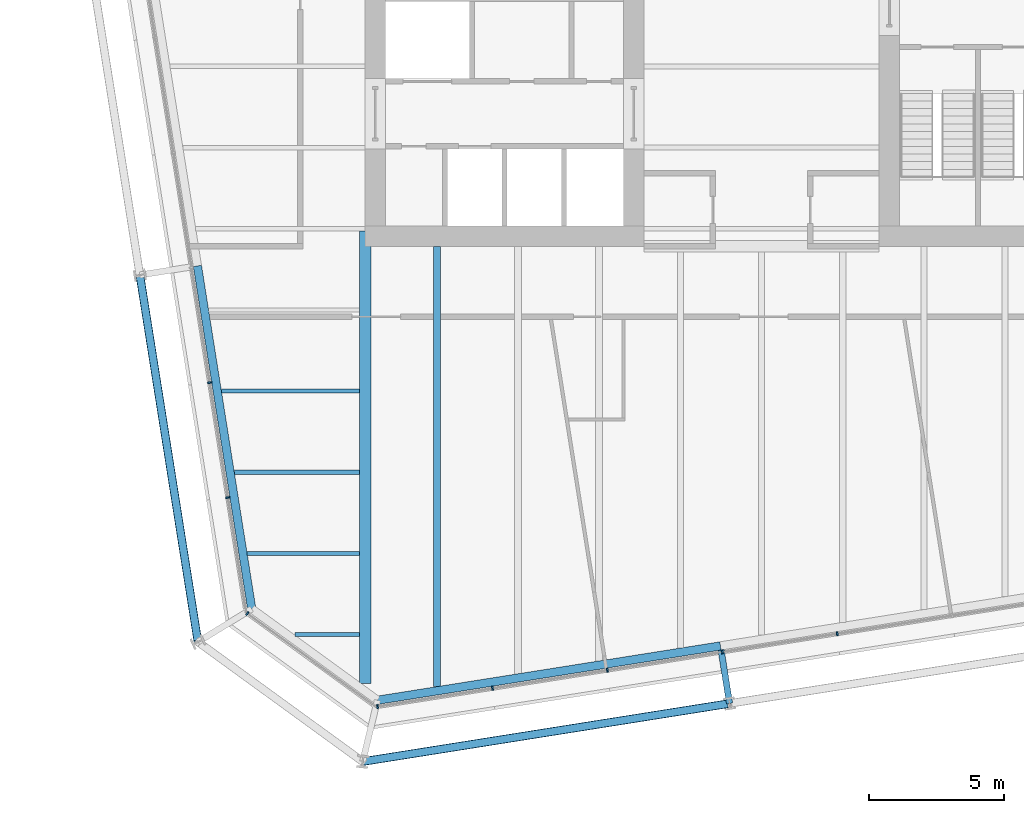
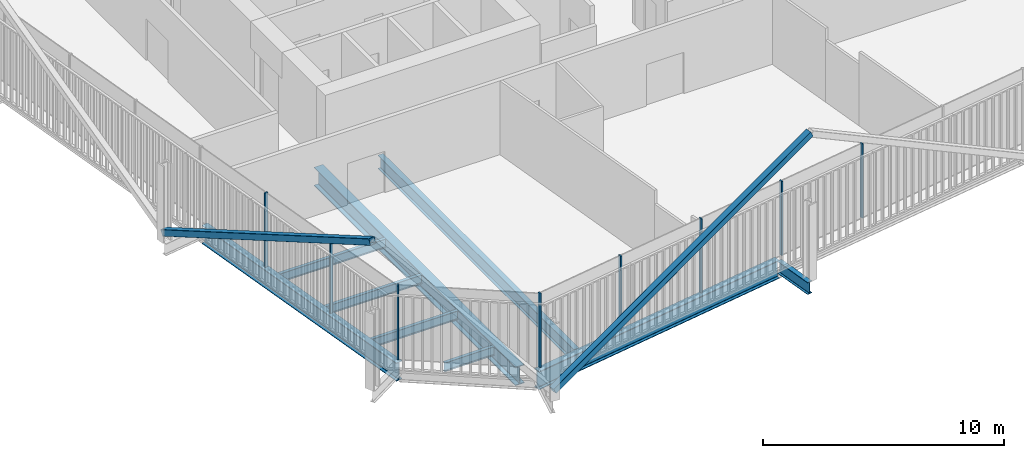
# One storey, part 2 of 22: 10 members, 9 beams, 3 elements without a shape of their own.
"""IFC4 building model written with IfcOpenShell, lengths in metres."""

from ifc_helpers import new_model, si_unit, direction, frame, origin, origin_2d, place, context, subcontext, project, spatial, rectangle, hollow_rectangle, i_section, extrude, material, layer, layer_set, material_profile, profile_set, type_object, element, aggregate, save


model = new_model("IFC4")

# Units and contexts
model_context = context("Model", 3, precision=1e-05, world=origin(), true_north=direction((0.0, 1.0)))
body_context = subcontext(model_context, "Body", "Model", "MODEL_VIEW")
ifc_project = project(units=[si_unit("LENGTHUNIT", "METRE"), si_unit("AREAUNIT", "SQUARE_METRE"), si_unit("VOLUMEUNIT", "CUBIC_METRE"), si_unit("PLANEANGLEUNIT", "RADIAN"), si_unit("MASSUNIT", "GRAM", prefix="KILO")], contexts=[model_context])

# Site, building, storey
site_placement = place(None, origin())
site = spatial("IfcSite", under=ifc_project, at=site_placement, CompositionType="ELEMENT")
building_placement = place(site_placement, origin())
building = spatial("IfcBuilding", under=site, at=building_placement, Name="Millrace Tower", CompositionType="ELEMENT")
storey_placement = place(building_placement, frame((0.0, 0.0, 187.800048828125)))
storey = spatial("IfcBuildingStorey", under=building, at=storey_placement, Name="L42", CompositionType="ELEMENT", Elevation=187.800048828125)

# Curtain wall, member
ifc_material_1 = material(Name="Aluminium and glass", Category="aluminium")
ifc_layer = layer(ifc_material_1, 0.14990234375)
ifc_layer_set = layer_set([ifc_layer], Name="Aluminium and glass")
curtain_wall_type = type_object("IfcCurtainWallType", Name="CW-1 office vision curtain wall", PredefinedType="NOTDEFINED", material=ifc_layer_set)
placement = place(storey_placement, origin())
curtain_wall_1 = element("IfcCurtainWall", 1, at=placement, inside=storey, type_object=curtain_wall_type, Name="Curtain wall C-F01 L42", PredefinedType="NOTDEFINED")
ifc_material_2 = material(Name="Aluminium", Category="aluminium")
ifc_material_profile_1 = material_profile(ifc_material_2, rectangle(XDim=0.06494140625, YDim=0.14990234375, at=origin_2d()))
ifc_profile_set_1 = profile_set([ifc_material_profile_1], Name="Aluminium")
member_type_1 = type_object("IfcMemberType", Name="CW-1 office vision curtain wall mullion", PredefinedType="MULLION", material=ifc_profile_set_1)
member_1_placement = place(storey_placement, frame((-19.00146484375, -23.2177734375, 0.139892578125), z_axis=(0.0, 0.0, 1.0), x_axis=(0.809016981623, -0.587785269844, 0.0)))
member_1 = element("IfcMember", 2, at=member_1_placement, type_object=member_type_1, Name="CW1 mullion C-F01.1", PredefinedType="MULLION", context=body_context, shape_type="SweptSolid", body=[
    extrude(rectangle(XDim=0.06494140625, YDim=0.14990234375, at=origin_2d()), origin(), (0.0, 0.0, 1.0), 3.760009765625),
])
aggregate(curtain_wall_1, [member_1])

# Curtain wall, members
curtain_wall_2 = element("IfcCurtainWall", 3, at=placement, inside=storey, type_object=curtain_wall_type, Name="Curtain wall C-F02 L42", PredefinedType="NOTDEFINED")
member_2_placement = place(storey_placement, frame((-14.191650390625, -26.65673828125, 0.139892578125), z_axis=(0.0, 0.0, 1.0), x_axis=(0.98768833929, 0.15643447328, 0.0)))
member_2 = element("IfcMember", 4, at=member_2_placement, type_object=member_type_1, Name="CW1 mullion C-F02.1", PredefinedType="MULLION", context=body_context, shape_type="SweptSolid", body=[
    extrude(rectangle(XDim=0.06494140625, YDim=0.14990234375, at=origin_2d()), origin(), (0.0, 0.0, 1.0), 3.760009765625),
])
member_3_placement = place(storey_placement, frame((-9.944580078125, -25.98388671875, 0.139892578125), z_axis=(0.0, 0.0, 1.0), x_axis=(0.98768833929, 0.15643447328, 0.0)))
member_3 = element("IfcMember", 5, at=member_3_placement, type_object=member_type_1, Name="CW1 mullion C-F02.2", PredefinedType="MULLION", context=body_context, shape_type="SweptSolid", body=[
    extrude(rectangle(XDim=0.06494140625, YDim=0.14990234375, at=origin_2d()), origin(), (0.0, 0.0, 1.0), 3.760009765625),
])
member_4_placement = place(storey_placement, frame((-5.697509765625, -25.311279296875, 0.139892578125), z_axis=(0.0, 0.0, 1.0), x_axis=(0.98768833929, 0.15643447328, 0.0)))
member_4 = element("IfcMember", 6, at=member_4_placement, type_object=member_type_1, Name="CW1 mullion C-F02.3", PredefinedType="MULLION", context=body_context, shape_type="SweptSolid", body=[
    extrude(rectangle(XDim=0.06494140625, YDim=0.14990234375, at=origin_2d()), origin(), (0.0, 0.0, 1.0), 3.760009765625),
])
member_5_placement = place(storey_placement, frame((-1.450439453125, -24.638671875, 0.139892578125), z_axis=(0.0, 0.0, 1.0), x_axis=(0.98768833929, 0.15643447328, 0.0)))
member_5 = element("IfcMember", 7, at=member_5_placement, type_object=member_type_1, Name="CW1 mullion C-F02.4", PredefinedType="MULLION", context=body_context, shape_type="SweptSolid", body=[
    extrude(rectangle(XDim=0.06494140625, YDim=0.14990234375, at=origin_2d()), origin(), (0.0, 0.0, 1.0), 3.760009765625),
])
member_6_placement = place(storey_placement, frame((2.796630859375, -23.966064453125, 0.139892578125), z_axis=(0.0, 0.0, 1.0), x_axis=(0.98768833929, 0.15643447328, 0.0)))
member_6 = element("IfcMember", 8, at=member_6_placement, type_object=member_type_1, Name="CW1 mullion C-F02.5", PredefinedType="MULLION", context=body_context, shape_type="SweptSolid", body=[
    extrude(rectangle(XDim=0.06494140625, YDim=0.14990234375, at=origin_2d()), origin(), (0.0, 0.0, 1.0), 3.760009765625),
])
aggregate(curtain_wall_2, [member_2, member_3, member_4, member_5, member_6])

curtain_wall_3 = element("IfcCurtainWall", 9, at=placement, inside=storey, type_object=curtain_wall_type, Name="Curtain wall C-F08 L42", PredefinedType="NOTDEFINED")
member_7_placement = place(storey_placement, frame((-20.39794921875, -14.687744140625, 0.139892578125), z_axis=(0.0, 0.0, 1.0), x_axis=(0.15643447328, -0.98768833929, 0.0)))
member_7 = element("IfcMember", 10, at=member_7_placement, type_object=member_type_1, Name="CW1 mullion C-F08.8", PredefinedType="MULLION", context=body_context, shape_type="SweptSolid", body=[
    extrude(rectangle(XDim=0.06494140625, YDim=0.14990234375, at=origin_2d()), origin(), (0.0, 0.0, 1.0), 3.760009765625),
])
member_8_placement = place(storey_placement, frame((-19.725341796875, -18.934814453125, 0.139892578125), z_axis=(0.0, 0.0, 1.0), x_axis=(0.15643447328, -0.98768833929, 0.0)))
member_8 = element("IfcMember", 11, at=member_8_placement, type_object=member_type_1, Name="CW1 mullion C-F08.9", PredefinedType="MULLION", context=body_context, shape_type="SweptSolid", body=[
    extrude(rectangle(XDim=0.06494140625, YDim=0.14990234375, at=origin_2d()), origin(), (0.0, 0.0, 1.0), 3.760009765625),
])
aggregate(curtain_wall_3, [member_7, member_8])

# Members
ifc_material_3 = material(Name="Steel ASTM A500 Grade C", Category="steel")
ifc_material_profile_2 = material_profile(ifc_material_3, hollow_rectangle(XDim=0.3046875, YDim=0.3046875, WallThickness=0.0126953125, InnerFilletRadius=0.00634765625, OuterFilletRadius=0.01904296875, at=origin_2d()))
ifc_profile_set_2 = profile_set([ifc_material_profile_2], Name="Steel ASTM A500 Grade C")
member_type_2 = type_object("IfcMemberType", Name="Exoskeleton brace HSS12x12x1/2", PredefinedType="BRACE", material=ifc_profile_set_2)
member_9_placement = place(storey_placement, frame((-14.740966796875, -28.692626953125, 0.39990234375), z_axis=(0.879910131664, 0.139353430287, 0.454245287992), x_axis=(-0.15642281023, 0.987690186465, 0.0)))
element("IfcMember", 12, at=member_9_placement, inside=storey, type_object=member_type_2, Name="BRC-C-L42-02", PredefinedType="BRACE", context=body_context, shape_type="SweptSolid", body=[
    extrude(hollow_rectangle(XDim=0.3046875, YDim=0.3046875, WallThickness=0.0126953125, InnerFilletRadius=0.00634765625, OuterFilletRadius=0.01904296875, at=origin_2d()), origin(), (0.0, 0.0, 1.0), 15.41015625),
])
member_10_placement = place(storey_placement, frame((-22.97705078125, -10.709716796875, 0.39990234375), z_axis=(0.139370908249, -0.879904612171, 0.454250617407), x_axis=(0.987687003601, 0.156442906258, 0.0)))
element("IfcMember", 13, at=member_10_placement, inside=storey, type_object=member_type_2, Name="BRC-C-L42-16", PredefinedType="BRACE", context=body_context, shape_type="SweptSolid", body=[
    extrude(hollow_rectangle(XDim=0.3046875, YDim=0.3046875, WallThickness=0.0126953125, InnerFilletRadius=0.00634765625, OuterFilletRadius=0.01904296875, at=origin_2d()), origin(), (0.0, 0.0, 1.0), 15.409912109375),
])

# Beams
ifc_material_4 = material(Name="Steel ASTM A992 Grade 50", Category="steel")
ifc_material_profile_3 = material_profile(ifc_material_4, i_section(OverallWidth=0.15234375, OverallDepth=0.449462890625, WebThickness=0.007568359375, FlangeThickness=0.0107421875, FilletRadius=0.01025390625, at=origin_2d()))
ifc_profile_set_3 = profile_set([ifc_material_profile_3], Name="Steel ASTM A992 Grade 50")
beam_type_1 = type_object("IfcBeamType", Name="Floor beam W18x35", PredefinedType="JOIST", material=ifc_profile_set_3)
beam_1_placement = place(storey_placement, frame((-19.01123046875, -21.0, -0.384765625), z_axis=(1.0, 0.0, 0.0), x_axis=(0.0, 1.0, 0.0)))
element("IfcBeam", 14, at=beam_1_placement, inside=storey, type_object=beam_type_1, Name="BM-C-L42-S1-S002", PredefinedType="JOIST", context=body_context, shape_type="SweptSolid", body=[
    extrude(i_section(OverallWidth=0.15234375, OverallDepth=0.449462890625, WebThickness=0.007568359375, FlangeThickness=0.0107421875, FilletRadius=0.01025390625, at=origin_2d()), origin(), (0.0, 0.0, 1.0), 4.151611328125),
])
beam_2_placement = place(storey_placement, frame((-19.486328125, -18.0, -0.384765625), z_axis=(1.0, 0.0, 0.0), x_axis=(0.0, 1.0, 0.0)))
element("IfcBeam", 15, at=beam_2_placement, inside=storey, type_object=beam_type_1, Name="BM-C-L42-S1-S004", PredefinedType="JOIST", context=body_context, shape_type="SweptSolid", body=[
    extrude(i_section(OverallWidth=0.15234375, OverallDepth=0.449462890625, WebThickness=0.007568359375, FlangeThickness=0.0107421875, FilletRadius=0.01025390625, at=origin_2d()), origin(), (0.0, 0.0, 1.0), 4.626708984375),
])
beam_3_placement = place(storey_placement, frame((-19.96142578125, -15.0, -0.384765625), z_axis=(1.0, 0.0, 0.0), x_axis=(0.0, 1.0, 0.0)))
element("IfcBeam", 16, at=beam_3_placement, inside=storey, type_object=beam_type_1, Name="BM-C-L42-S1-S006", PredefinedType="JOIST", context=body_context, shape_type="SweptSolid", body=[
    extrude(i_section(OverallWidth=0.15234375, OverallDepth=0.449462890625, WebThickness=0.007568359375, FlangeThickness=0.0107421875, FilletRadius=0.01025390625, at=origin_2d()), origin(), (0.0, 0.0, 1.0), 5.101806640625),
])
beam_4_placement = place(storey_placement, frame((-17.246337890625, -24.0, -0.384765625), z_axis=(1.0, 0.0, 0.0), x_axis=(0.0, 1.0, 0.0)))
element("IfcBeam", 17, at=beam_4_placement, inside=storey, type_object=beam_type_1, Name="BM-C-L42-S1-S001", PredefinedType="JOIST", context=body_context, shape_type="SweptSolid", body=[
    extrude(i_section(OverallWidth=0.15234375, OverallDepth=0.449462890625, WebThickness=0.007568359375, FlangeThickness=0.0107421875, FilletRadius=0.01025390625, at=origin_2d()), origin(), (0.0, 0.0, 1.0), 2.38671875),
])
ifc_material_5 = material(Name="Steel ASTM A992 Grade 50", Category="steel")
ifc_material_profile_4 = material_profile(ifc_material_5, i_section(OverallWidth=0.256591796875, OverallDepth=0.693359375, WebThickness=0.014404296875, FlangeThickness=0.023681640625, FilletRadius=0.01513671875, at=origin_2d()))
ifc_profile_set_4 = profile_set([ifc_material_profile_4], Name="Steel ASTM A992 Grade 50")
beam_type_2 = type_object("IfcBeamType", Name="Floor beam W27x114", PredefinedType="JOIST", material=ifc_profile_set_4)
beam_5_placement = place(storey_placement, frame((-12.0, -25.92236328125, -0.5068359375), z_axis=(0.0, 1.0, 0.0), x_axis=(-1.0, 0.0, 0.0)))
element("IfcBeam", 18, at=beam_5_placement, inside=storey, type_object=beam_type_2, Name="BM-C-L42-S1-S040", PredefinedType="JOIST", context=body_context, shape_type="SweptSolid", body=[
    extrude(i_section(OverallWidth=0.256591796875, OverallDepth=0.693359375, WebThickness=0.014404296875, FlangeThickness=0.023681640625, FilletRadius=0.01513671875, at=origin_2d()), origin(), (0.0, 0.0, 1.0), 16.2724609375),
])
ifc_material_6 = material(Name="Steel ASTM A992 Grade 50", Category="steel")
ifc_material_profile_5 = material_profile(ifc_material_6, i_section(OverallWidth=0.424072265625, OverallDepth=0.947509765625, WebThickness=0.02392578125, FlangeThickness=0.042724609375, FilletRadius=0.024169921875, at=origin_2d()))
ifc_profile_set_5 = profile_set([ifc_material_profile_5], Name="Steel ASTM A992 Grade 50")
beam_type_3 = type_object("IfcBeamType", Name="Girder medium span W36x302", PredefinedType="BEAM", material=ifc_profile_set_5)
beam_6_placement = place(storey_placement, frame((-14.64990234375, -25.806640625, -0.6337890625), z_axis=(0.0, 1.0, 0.0), x_axis=(-1.0, 0.0, 0.0)))
element("IfcBeam", 19, at=beam_6_placement, inside=storey, type_object=beam_type_3, Name="BM-C-L42-S1-G058", PredefinedType="BEAM", context=body_context, shape_type="SweptSolid", body=[
    extrude(i_section(OverallWidth=0.424072265625, OverallDepth=0.947509765625, WebThickness=0.02392578125, FlangeThickness=0.042724609375, FilletRadius=0.024169921875, at=origin_2d()), origin(), (0.0, 0.0, 1.0), 16.720703125),
])
ifc_material_7 = material(Name="Steel ASTM A992 Grade 50", Category="steel")
ifc_material_profile_6 = material_profile(ifc_material_7, i_section(OverallWidth=0.23046875, OverallDepth=0.6171875, WebThickness=0.01318359375, FlangeThickness=0.022216796875, FilletRadius=0.012939453125, at=origin_2d()))
ifc_profile_set_6 = profile_set([ifc_material_profile_6], Name="Steel ASTM A992 Grade 50")
beam_type_4 = type_object("IfcBeamType", Name="Link beam W24x94", PredefinedType="BEAM", material=ifc_profile_set_6)
beam_7_placement = place(storey_placement, frame((-1.494384765625, -24.569580078125, -0.46875), z_axis=(0.156476509441, -0.987681680499, 0.0), x_axis=(0.987681680499, 0.156476509441, 0.0)))
element("IfcBeam", 20, at=beam_7_placement, inside=storey, type_object=beam_type_4, Name="LNK-C-L42-S1-15", PredefinedType="BEAM", context=body_context, shape_type="SweptSolid", body=[
    extrude(i_section(OverallWidth=0.23046875, OverallDepth=0.6171875, WebThickness=0.01318359375, FlangeThickness=0.022216796875, FilletRadius=0.012939453125, at=origin_2d()), origin(), (0.0, 0.0, 1.0), 2.000244140625),
])
ifc_material_8 = material(Name="Steel ASTM A992 Grade 50", Category="steel")
ifc_material_profile_7 = material_profile(ifc_material_8, i_section(OverallWidth=0.307373046875, OverallDepth=0.927001953125, WebThickness=0.01953125, FlangeThickness=0.031982421875, FilletRadius=0.01904296875, at=origin_2d()))
ifc_profile_set_7 = profile_set([ifc_material_profile_7], Name="Steel ASTM A992 Grade 50")
beam_type_5 = type_object("IfcBeamType", Name="Ring beam medium span W36x194", PredefinedType="SPANDREL", material=ifc_profile_set_7)
beam_8_placement = place(storey_placement, frame((-18.841796875, -23.051025390625, -0.62353515625), z_axis=(-0.156436246498, 0.987688058438, 0.0), x_axis=(-0.987688058438, -0.156436246498, 0.0)))
element("IfcBeam", 21, at=beam_8_placement, inside=storey, type_object=beam_type_5, Name="RNG-C-L42-S1-01", PredefinedType="SPANDREL", context=body_context, shape_type="SweptSolid", body=[
    extrude(i_section(OverallWidth=0.307373046875, OverallDepth=0.927001953125, WebThickness=0.01953125, FlangeThickness=0.031982421875, FilletRadius=0.01904296875, at=origin_2d()), origin(), (0.0, 0.0, 1.0), 12.836181640625),
])
beam_9_placement = place(storey_placement, frame((-1.518310546875, -24.41796875, -0.62353515625), z_axis=(-0.987688523879, -0.15643330783, 0.0), x_axis=(0.15643330783, -0.987688523879, 0.0)))
element("IfcBeam", 22, at=beam_9_placement, inside=storey, type_object=beam_type_5, Name="RNG-C-L42-S1-15", PredefinedType="SPANDREL", context=body_context, shape_type="SweptSolid", body=[
    extrude(i_section(OverallWidth=0.307373046875, OverallDepth=0.927001953125, WebThickness=0.01953125, FlangeThickness=0.031982421875, FilletRadius=0.01904296875, at=origin_2d()), origin(), (0.0, 0.0, 1.0), 12.83642578125),
])

save(model, "model.ifc")
